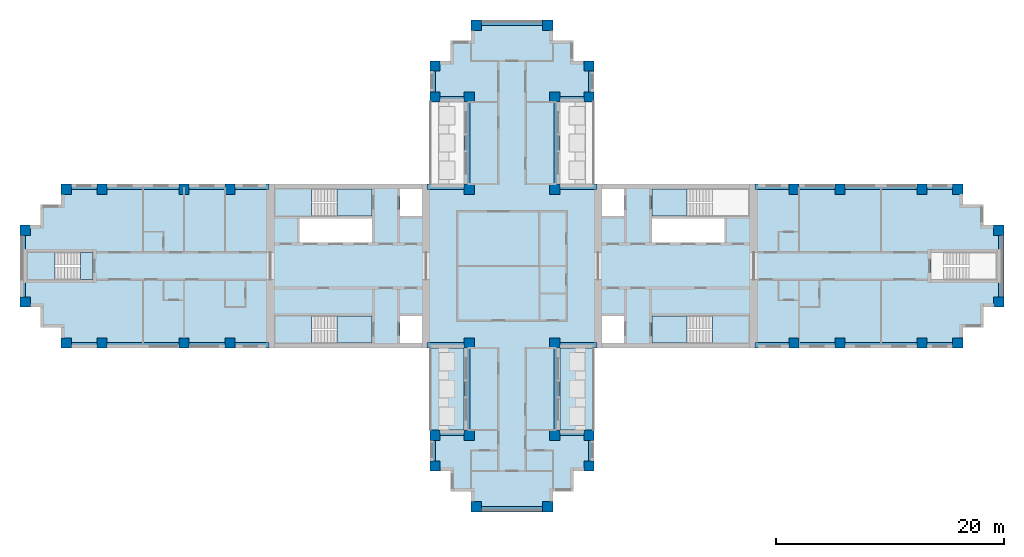
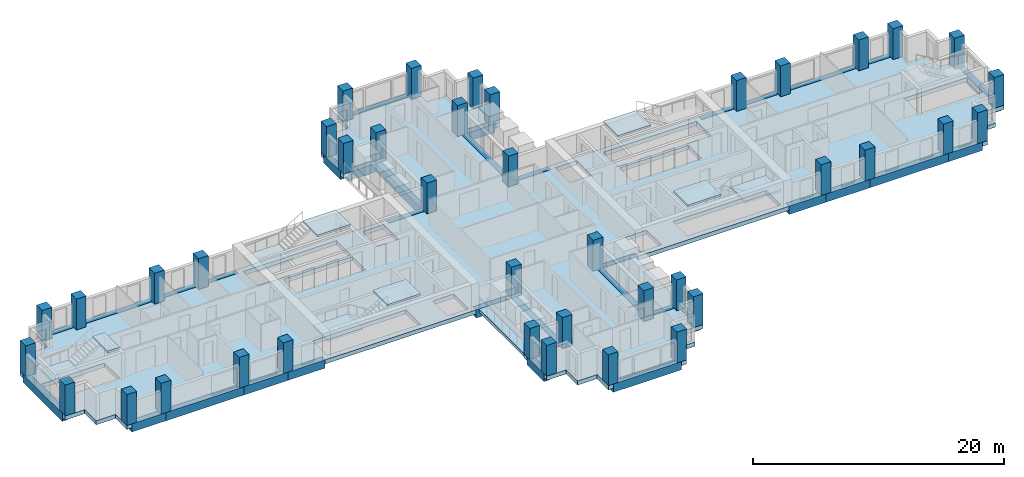
# One storey, part 1 of 12: 40 columns, 36 beams, 12 slabs, 5 elements without a shape of their own.
"""IFC4 building model written with IfcOpenShell, lengths in metres."""

from ifc_helpers import new_model, si_unit, direction, frame, origin, origin_2d, place, context, subcontext, project, spatial, polyline, rectangle, outline, extrude, material, layer, layer_set, material_profile, profile_set, type_object, element, aggregate, save


model = new_model("IFC4")

# Units and contexts
model_context = context("Model", 3, precision=1e-05, world=origin(), true_north=direction((0.0, 1.0)))
body_context = subcontext(model_context, "Body", "Model", "MODEL_VIEW")
ifc_project = project(units=[si_unit("LENGTHUNIT", "METRE"), si_unit("AREAUNIT", "SQUARE_METRE"), si_unit("VOLUMEUNIT", "CUBIC_METRE"), si_unit("PLANEANGLEUNIT", "RADIAN"), si_unit("MASSUNIT", "GRAM", prefix="KILO")], contexts=[model_context])

# Site, building, storey
site_placement = place(None, origin())
site = spatial("IfcSite", under=ifc_project, at=site_placement, CompositionType="ELEMENT")
building_placement = place(site_placement, origin())
building = spatial("IfcBuilding", under=site, at=building_placement, Name="Fustian Cross Tower", CompositionType="ELEMENT")
storey_placement = place(building_placement, frame((0.0, 0.0, 135.300048828125)))
storey = spatial("IfcBuildingStorey", under=building, at=storey_placement, Name="L42", CompositionType="ELEMENT", Elevation=135.300048828125)

# Columns
ifc_material_1 = material(Name="Concrete C50/60", Category="concrete")
ifc_material_profile_1 = material_profile(ifc_material_1, rectangle(XDim=0.89990234375, YDim=0.89990234375, at=origin_2d()), Name="RC 900x900")
ifc_profile_set_1 = profile_set([ifc_material_profile_1], Name="Concrete C50/60")
column_type = type_object("IfcColumnType", Name="COLUMN RC 900x900 C50/60", PredefinedType="COLUMN", material=ifc_profile_set_1)
for number, where, z_axis, x_axis, name in (
    (1, (-42.75, -3.14990234375, 0.0), (0.0, 0.0, 1.0), (1.0, 0.0, 0.0), "COLUMN 001"),
    (2, (-42.75, 3.14990234375, 0.0), (0.0, 0.0, 1.0), (1.0, 0.0, 0.0), "COLUMN 002"),
    (3, (-39.14990234375, -6.75, 0.0), (0.0, 0.0, 1.0), (1.0, 0.0, 0.0), "COLUMN 003"),
    (4, (-39.14990234375, 6.75, 0.0), (0.0, 0.0, 1.0), (1.0, 0.0, 0.0), "COLUMN 004"),
    (5, (-36.0, -6.75, 0.0), (0.0, 0.0, 1.0), (1.0, 0.0, 0.0), "COLUMN 005"),
    (6, (-36.0, 6.75, 0.0), (0.0, 0.0, 1.0), (1.0, 0.0, 0.0), "COLUMN 006"),
    (7, (-28.800048828125, -6.75, 0.0), (0.0, 0.0, 1.0), (1.0, 0.0, 0.0), "COLUMN 007"),
    (8, (-28.800048828125, 6.75, 0.0), (0.0, 0.0, 1.0), (1.0, 0.0, 0.0), "COLUMN 010"),
    (9, (-24.75, -6.75, 0.0), (0.0, 0.0, 1.0), (1.0, 0.0, 0.0), "COLUMN 011"),
    (10, (-24.75, 6.75, 0.0), (0.0, 0.0, 1.0), (1.0, 0.0, 0.0), "COLUMN 012"),
    (11, (-6.75, -17.550048828125, 0.0), (0.0, 0.0, 1.0), (1.0, 0.0, 0.0), "COLUMN 017"),
    (12, (-6.75, -14.85009765625, 0.0), (0.0, 0.0, 1.0), (1.0, 0.0, 0.0), "COLUMN 018"),
    (13, (-6.75, 14.85009765625, 0.0), (0.0, 0.0, 1.0), (1.0, 0.0, 0.0), "COLUMN 019"),
    (14, (-6.75, 17.550048828125, 0.0), (0.0, 0.0, 1.0), (1.0, 0.0, 0.0), "COLUMN 020"),
    (15, (-3.75, -14.85009765625, 0.0), (0.0, 0.0, 1.0), (1.0, 0.0, 0.0), "COLUMN 025"),
    (16, (-3.75, -6.75, 0.0), (0.0, 0.0, 1.0), (1.0, 0.0, 0.0), "COLUMN 026"),
    (17, (-3.75, 6.75, 0.0), (0.0, 0.0, 1.0), (1.0, 0.0, 0.0), "COLUMN 027"),
    (18, (-3.75, 14.85009765625, 0.0), (0.0, 0.0, 1.0), (1.0, 0.0, 0.0), "COLUMN 028"),
    (19, (-3.14990234375, -21.14990234375, 0.0), (0.0, 0.0, 1.0), (1.0, 0.0, 0.0), "COLUMN 030"),
    (20, (-3.14990234375, 21.14990234375, 0.0), (0.0, 0.0, 1.0), (1.0, 0.0, 0.0), "COLUMN 031"),
    (21, (3.14990234375, -21.14990234375, 0.0), (0.0, 0.0, 1.0), (1.0, 0.0, 0.0), "COLUMN 034"),
    (22, (3.14990234375, 21.14990234375, 0.0), (0.0, 0.0, 1.0), (1.0, 0.0, 0.0), "COLUMN 035"),
    (23, (3.75, -14.85009765625, 0.0), (0.0, 0.0, 1.0), (1.0, 0.0, 0.0), "COLUMN 037"),
    (24, (3.75, -6.75, 0.0), (0.0, 0.0, 1.0), (1.0, 0.0, 0.0), "COLUMN 038"),
    (25, (3.75, 6.75, 0.0), (0.0, 0.0, 1.0), (1.0, 0.0, 0.0), "COLUMN 039"),
    (26, (3.75, 14.85009765625, 0.0), (0.0, 0.0, 1.0), (1.0, 0.0, 0.0), "COLUMN 040"),
    (27, (6.75, -17.550048828125, 0.0), (0.0, 0.0, 1.0), (1.0, 0.0, 0.0), "COLUMN 045"),
    (28, (6.75, -14.85009765625, 0.0), (0.0, 0.0, 1.0), (1.0, 0.0, 0.0), "COLUMN 046"),
    (29, (6.75, 14.85009765625, 0.0), (0.0, 0.0, 1.0), (1.0, 0.0, 0.0), "COLUMN 047"),
    (30, (6.75, 17.550048828125, 0.0), (0.0, 0.0, 1.0), (1.0, 0.0, 0.0), "COLUMN 048"),
    (31, (24.75, -6.75, 0.0), (0.0, 0.0, 1.0), (1.0, 0.0, 0.0), "COLUMN 053"),
    (32, (24.75, 6.75, 0.0), (0.0, 0.0, 1.0), (1.0, 0.0, 0.0), "COLUMN 054"),
    (33, (28.800048828125, -6.75, 0.0), (0.0, 0.0, 1.0), (1.0, 0.0, 0.0), "COLUMN 055"),
    (34, (28.800048828125, 6.75, 0.0), (0.0, 0.0, 1.0), (1.0, 0.0, 0.0), "COLUMN 058"),
    (35, (36.0, -6.75, 0.0), (0.0, 0.0, 1.0), (1.0, 0.0, 0.0), "COLUMN 059"),
    (36, (36.0, 6.75, 0.0), (0.0, 0.0, 1.0), (1.0, 0.0, 0.0), "COLUMN 060"),
    (37, (39.14990234375, -6.75, 0.0), (0.0, 0.0, 1.0), (1.0, 0.0, 0.0), "COLUMN 061"),
    (38, (39.14990234375, 6.75, 0.0), (0.0, 0.0, 1.0), (1.0, 0.0, 0.0), "COLUMN 062"),
    (39, (42.75, -3.14990234375, 0.0), (0.0, 0.0, 1.0), (1.0, 0.0, 0.0), "COLUMN 063"),
    (40, (42.75, 3.14990234375, 0.0), (0.0, 0.0, 1.0), (1.0, 0.0, 0.0), "COLUMN 064"),
):
    element("IfcColumn", number, at=place(storey_placement, frame(where, z_axis=z_axis, x_axis=x_axis)), inside=storey, type_object=column_type, Name=name, PredefinedType="COLUMN", context=body_context, shape_type="SweptSolid", body=[
        extrude(rectangle(XDim=0.89990234375, YDim=0.89990234375, at=origin_2d()), origin(), (0.0, 0.0, 1.0), 3.0),
    ])

# Beams
ifc_material_2 = material(Name="Concrete C50/60", Category="concrete")
ifc_material_profile_2 = material_profile(ifc_material_2, rectangle(XDim=0.5, YDim=0.800048828125, at=origin_2d()), Name="RC 500x800")
ifc_profile_set_2 = profile_set([ifc_material_profile_2], Name="Concrete C50/60")
beam_type = type_object("IfcBeamType", Name="EDGE BEAM RC 500x800 C50/60", PredefinedType="SPANDREL", material=ifc_profile_set_2)
beam_1_placement = place(storey_placement, frame((21.35009765625, -6.949951171875, -0.400146484375), z_axis=(1.0, 0.0, 0.0), x_axis=(0.0, 1.0, 0.0)))
element("IfcBeam", 41, at=beam_1_placement, inside=storey, type_object=beam_type, Name="EDGE BEAM L42-01", PredefinedType="SPANDREL", context=body_context, shape_type="SweptSolid", body=[
    extrude(rectangle(XDim=0.5, YDim=0.800048828125, at=origin_2d()), origin(), (0.0, 0.0, 1.0), 3.39990234375),
])
beam_2_placement = place(storey_placement, frame((24.75, -6.949951171875, -0.400146484375), z_axis=(1.0, 0.0, 0.0), x_axis=(0.0, 1.0, 0.0)))
element("IfcBeam", 42, at=beam_2_placement, inside=storey, type_object=beam_type, Name="EDGE BEAM L42-02", PredefinedType="SPANDREL", context=body_context, shape_type="SweptSolid", body=[
    extrude(rectangle(XDim=0.5, YDim=0.800048828125, at=origin_2d()), origin(), (0.0, 0.0, 1.0), 4.050048828125),
])
beam_3_placement = place(storey_placement, frame((28.800048828125, -6.949951171875, -0.400146484375), z_axis=(1.0, 0.0, 0.0), x_axis=(0.0, 1.0, 0.0)))
element("IfcBeam", 43, at=beam_3_placement, inside=storey, type_object=beam_type, Name="EDGE BEAM L42-03", PredefinedType="SPANDREL", context=body_context, shape_type="SweptSolid", body=[
    extrude(rectangle(XDim=0.5, YDim=0.800048828125, at=origin_2d()), origin(), (0.0, 0.0, 1.0), 7.199951171875),
])
beam_4_placement = place(storey_placement, frame((36.0, -6.949951171875, -0.400146484375), z_axis=(1.0, 0.0, 0.0), x_axis=(0.0, 1.0, 0.0)))
element("IfcBeam", 44, at=beam_4_placement, inside=storey, type_object=beam_type, Name="EDGE BEAM L42-04", PredefinedType="SPANDREL", context=body_context, shape_type="SweptSolid", body=[
    extrude(rectangle(XDim=0.5, YDim=0.800048828125, at=origin_2d()), origin(), (0.0, 0.0, 1.0), 3.14990234375),
])
beam_5_placement = place(storey_placement, frame((42.949951171875, -3.14990234375, -0.400146484375), z_axis=(0.0, 1.0, 0.0), x_axis=(-1.0, 0.0, 0.0)))
element("IfcBeam", 45, at=beam_5_placement, inside=storey, type_object=beam_type, Name="EDGE BEAM L42-05", PredefinedType="SPANDREL", context=body_context, shape_type="SweptSolid", body=[
    extrude(rectangle(XDim=0.5, YDim=0.800048828125, at=origin_2d()), origin(), (0.0, 0.0, 1.0), 6.2998046875),
])
beam_6_placement = place(storey_placement, frame((39.14990234375, 6.949951171875, -0.400146484375), z_axis=(-1.0, 0.0, 0.0), x_axis=(0.0, -1.0, 0.0)))
element("IfcBeam", 46, at=beam_6_placement, inside=storey, type_object=beam_type, Name="EDGE BEAM L42-06", PredefinedType="SPANDREL", context=body_context, shape_type="SweptSolid", body=[
    extrude(rectangle(XDim=0.5, YDim=0.800048828125, at=origin_2d()), origin(), (0.0, 0.0, 1.0), 3.14990234375),
])
beam_7_placement = place(storey_placement, frame((36.0, 6.949951171875, -0.400146484375), z_axis=(-1.0, 0.0, 0.0), x_axis=(0.0, -1.0, 0.0)))
element("IfcBeam", 47, at=beam_7_placement, inside=storey, type_object=beam_type, Name="EDGE BEAM L42-07", PredefinedType="SPANDREL", context=body_context, shape_type="SweptSolid", body=[
    extrude(rectangle(XDim=0.5, YDim=0.800048828125, at=origin_2d()), origin(), (0.0, 0.0, 1.0), 7.199951171875),
])
beam_8_placement = place(storey_placement, frame((28.800048828125, 6.949951171875, -0.400146484375), z_axis=(-1.0, 0.0, 0.0), x_axis=(0.0, -1.0, 0.0)))
element("IfcBeam", 48, at=beam_8_placement, inside=storey, type_object=beam_type, Name="EDGE BEAM L42-08", PredefinedType="SPANDREL", context=body_context, shape_type="SweptSolid", body=[
    extrude(rectangle(XDim=0.5, YDim=0.800048828125, at=origin_2d()), origin(), (0.0, 0.0, 1.0), 4.050048828125),
])
beam_9_placement = place(storey_placement, frame((24.75, 6.949951171875, -0.400146484375), z_axis=(-1.0, 0.0, 0.0), x_axis=(0.0, -1.0, 0.0)))
element("IfcBeam", 49, at=beam_9_placement, inside=storey, type_object=beam_type, Name="EDGE BEAM L42-09", PredefinedType="SPANDREL", context=body_context, shape_type="SweptSolid", body=[
    extrude(rectangle(XDim=0.5, YDim=0.800048828125, at=origin_2d()), origin(), (0.0, 0.0, 1.0), 3.39990234375),
])
beam_10_placement = place(storey_placement, frame((7.449951171875, 6.949951171875, -0.400146484375), z_axis=(-1.0, 0.0, 0.0), x_axis=(0.0, -1.0, 0.0)))
element("IfcBeam", 50, at=beam_10_placement, inside=storey, type_object=beam_type, Name="EDGE BEAM L42-10", PredefinedType="SPANDREL", context=body_context, shape_type="SweptSolid", body=[
    extrude(rectangle(XDim=0.5, YDim=0.800048828125, at=origin_2d()), origin(), (0.0, 0.0, 1.0), 3.699951171875),
])
beam_11_placement = place(storey_placement, frame((3.949951171875, 6.75, -0.400146484375), z_axis=(0.0, 1.0, 0.0), x_axis=(-1.0, 0.0, 0.0)))
element("IfcBeam", 51, at=beam_11_placement, inside=storey, type_object=beam_type, Name="EDGE BEAM L42-11", PredefinedType="SPANDREL", context=body_context, shape_type="SweptSolid", body=[
    extrude(rectangle(XDim=0.5, YDim=0.800048828125, at=origin_2d()), origin(), (0.0, 0.0, 1.0), 8.10009765625),
])
beam_12_placement = place(storey_placement, frame((3.75, 14.64990234375, -0.400146484375), z_axis=(1.0, 0.0, 0.0), x_axis=(0.0, 1.0, 0.0)))
element("IfcBeam", 52, at=beam_12_placement, inside=storey, type_object=beam_type, Name="EDGE BEAM L42-12", PredefinedType="SPANDREL", context=body_context, shape_type="SweptSolid", body=[
    extrude(rectangle(XDim=0.5, YDim=0.800048828125, at=origin_2d()), origin(), (0.0, 0.0, 1.0), 3.0),
])
beam_13_placement = place(storey_placement, frame((6.949951171875, 14.85009765625, -0.400146484375), z_axis=(0.0, 1.0, 0.0), x_axis=(-1.0, 0.0, 0.0)))
element("IfcBeam", 53, at=beam_13_placement, inside=storey, type_object=beam_type, Name="EDGE BEAM L42-13", PredefinedType="SPANDREL", context=body_context, shape_type="SweptSolid", body=[
    extrude(rectangle(XDim=0.5, YDim=0.800048828125, at=origin_2d()), origin(), (0.0, 0.0, 1.0), 2.699951171875),
])
beam_14_placement = place(storey_placement, frame((3.14990234375, 21.35009765625, -0.400146484375), z_axis=(-1.0, 0.0, 0.0), x_axis=(0.0, -1.0, 0.0)))
element("IfcBeam", 54, at=beam_14_placement, inside=storey, type_object=beam_type, Name="EDGE BEAM L42-14", PredefinedType="SPANDREL", context=body_context, shape_type="SweptSolid", body=[
    extrude(rectangle(XDim=0.5, YDim=0.800048828125, at=origin_2d()), origin(), (0.0, 0.0, 1.0), 6.2998046875),
])
beam_15_placement = place(storey_placement, frame((-6.949951171875, 17.550048828125, -0.400146484375), z_axis=(0.0, -1.0, 0.0), x_axis=(1.0, 0.0, 0.0)))
element("IfcBeam", 55, at=beam_15_placement, inside=storey, type_object=beam_type, Name="EDGE BEAM L42-15", PredefinedType="SPANDREL", context=body_context, shape_type="SweptSolid", body=[
    extrude(rectangle(XDim=0.5, YDim=0.800048828125, at=origin_2d()), origin(), (0.0, 0.0, 1.0), 2.699951171875),
])
beam_16_placement = place(storey_placement, frame((-6.75, 14.64990234375, -0.400146484375), z_axis=(1.0, 0.0, 0.0), x_axis=(0.0, 1.0, 0.0)))
element("IfcBeam", 56, at=beam_16_placement, inside=storey, type_object=beam_type, Name="EDGE BEAM L42-16", PredefinedType="SPANDREL", context=body_context, shape_type="SweptSolid", body=[
    extrude(rectangle(XDim=0.5, YDim=0.800048828125, at=origin_2d()), origin(), (0.0, 0.0, 1.0), 3.0),
])
beam_17_placement = place(storey_placement, frame((-3.949951171875, 14.85009765625, -0.400146484375), z_axis=(0.0, -1.0, 0.0), x_axis=(1.0, 0.0, 0.0)))
element("IfcBeam", 57, at=beam_17_placement, inside=storey, type_object=beam_type, Name="EDGE BEAM L42-17", PredefinedType="SPANDREL", context=body_context, shape_type="SweptSolid", body=[
    extrude(rectangle(XDim=0.5, YDim=0.800048828125, at=origin_2d()), origin(), (0.0, 0.0, 1.0), 8.10009765625),
])
beam_18_placement = place(storey_placement, frame((-3.75, 6.949951171875, -0.400146484375), z_axis=(-1.0, 0.0, 0.0), x_axis=(0.0, -1.0, 0.0)))
element("IfcBeam", 58, at=beam_18_placement, inside=storey, type_object=beam_type, Name="EDGE BEAM L42-18", PredefinedType="SPANDREL", context=body_context, shape_type="SweptSolid", body=[
    extrude(rectangle(XDim=0.5, YDim=0.800048828125, at=origin_2d()), origin(), (0.0, 0.0, 1.0), 3.699951171875),
])
beam_19_placement = place(storey_placement, frame((-21.35009765625, 6.949951171875, -0.400146484375), z_axis=(-1.0, 0.0, 0.0), x_axis=(0.0, -1.0, 0.0)))
element("IfcBeam", 59, at=beam_19_placement, inside=storey, type_object=beam_type, Name="EDGE BEAM L42-19", PredefinedType="SPANDREL", context=body_context, shape_type="SweptSolid", body=[
    extrude(rectangle(XDim=0.5, YDim=0.800048828125, at=origin_2d()), origin(), (0.0, 0.0, 1.0), 3.39990234375),
])
beam_20_placement = place(storey_placement, frame((-24.75, 6.949951171875, -0.400146484375), z_axis=(-1.0, 0.0, 0.0), x_axis=(0.0, -1.0, 0.0)))
element("IfcBeam", 60, at=beam_20_placement, inside=storey, type_object=beam_type, Name="EDGE BEAM L42-20", PredefinedType="SPANDREL", context=body_context, shape_type="SweptSolid", body=[
    extrude(rectangle(XDim=0.5, YDim=0.800048828125, at=origin_2d()), origin(), (0.0, 0.0, 1.0), 4.050048828125),
])
beam_21_placement = place(storey_placement, frame((-28.800048828125, 6.949951171875, -0.400146484375), z_axis=(-1.0, 0.0, 0.0), x_axis=(0.0, -1.0, 0.0)))
element("IfcBeam", 61, at=beam_21_placement, inside=storey, type_object=beam_type, Name="EDGE BEAM L42-21", PredefinedType="SPANDREL", context=body_context, shape_type="SweptSolid", body=[
    extrude(rectangle(XDim=0.5, YDim=0.800048828125, at=origin_2d()), origin(), (0.0, 0.0, 1.0), 7.199951171875),
])
beam_22_placement = place(storey_placement, frame((-36.0, 6.949951171875, -0.400146484375), z_axis=(-1.0, 0.0, 0.0), x_axis=(0.0, -1.0, 0.0)))
element("IfcBeam", 62, at=beam_22_placement, inside=storey, type_object=beam_type, Name="EDGE BEAM L42-22", PredefinedType="SPANDREL", context=body_context, shape_type="SweptSolid", body=[
    extrude(rectangle(XDim=0.5, YDim=0.800048828125, at=origin_2d()), origin(), (0.0, 0.0, 1.0), 3.14990234375),
])
beam_23_placement = place(storey_placement, frame((-42.949951171875, 3.14990234375, -0.400146484375), z_axis=(0.0, -1.0, 0.0), x_axis=(1.0, 0.0, 0.0)))
element("IfcBeam", 63, at=beam_23_placement, inside=storey, type_object=beam_type, Name="EDGE BEAM L42-23", PredefinedType="SPANDREL", context=body_context, shape_type="SweptSolid", body=[
    extrude(rectangle(XDim=0.5, YDim=0.800048828125, at=origin_2d()), origin(), (0.0, 0.0, 1.0), 6.2998046875),
])
beam_24_placement = place(storey_placement, frame((-39.14990234375, -6.949951171875, -0.400146484375), z_axis=(1.0, 0.0, 0.0), x_axis=(0.0, 1.0, 0.0)))
element("IfcBeam", 64, at=beam_24_placement, inside=storey, type_object=beam_type, Name="EDGE BEAM L42-24", PredefinedType="SPANDREL", context=body_context, shape_type="SweptSolid", body=[
    extrude(rectangle(XDim=0.5, YDim=0.800048828125, at=origin_2d()), origin(), (0.0, 0.0, 1.0), 3.14990234375),
])
beam_25_placement = place(storey_placement, frame((-36.0, -6.949951171875, -0.400146484375), z_axis=(1.0, 0.0, 0.0), x_axis=(0.0, 1.0, 0.0)))
element("IfcBeam", 65, at=beam_25_placement, inside=storey, type_object=beam_type, Name="EDGE BEAM L42-25", PredefinedType="SPANDREL", context=body_context, shape_type="SweptSolid", body=[
    extrude(rectangle(XDim=0.5, YDim=0.800048828125, at=origin_2d()), origin(), (0.0, 0.0, 1.0), 7.199951171875),
])
beam_26_placement = place(storey_placement, frame((-28.800048828125, -6.949951171875, -0.400146484375), z_axis=(1.0, 0.0, 0.0), x_axis=(0.0, 1.0, 0.0)))
element("IfcBeam", 66, at=beam_26_placement, inside=storey, type_object=beam_type, Name="EDGE BEAM L42-26", PredefinedType="SPANDREL", context=body_context, shape_type="SweptSolid", body=[
    extrude(rectangle(XDim=0.5, YDim=0.800048828125, at=origin_2d()), origin(), (0.0, 0.0, 1.0), 4.050048828125),
])
beam_27_placement = place(storey_placement, frame((-24.75, -6.949951171875, -0.400146484375), z_axis=(1.0, 0.0, 0.0), x_axis=(0.0, 1.0, 0.0)))
element("IfcBeam", 67, at=beam_27_placement, inside=storey, type_object=beam_type, Name="EDGE BEAM L42-27", PredefinedType="SPANDREL", context=body_context, shape_type="SweptSolid", body=[
    extrude(rectangle(XDim=0.5, YDim=0.800048828125, at=origin_2d()), origin(), (0.0, 0.0, 1.0), 3.39990234375),
])
beam_28_placement = place(storey_placement, frame((-7.449951171875, -6.949951171875, -0.400146484375), z_axis=(1.0, 0.0, 0.0), x_axis=(0.0, 1.0, 0.0)))
element("IfcBeam", 68, at=beam_28_placement, inside=storey, type_object=beam_type, Name="EDGE BEAM L42-28", PredefinedType="SPANDREL", context=body_context, shape_type="SweptSolid", body=[
    extrude(rectangle(XDim=0.5, YDim=0.800048828125, at=origin_2d()), origin(), (0.0, 0.0, 1.0), 3.699951171875),
])
beam_29_placement = place(storey_placement, frame((-3.949951171875, -6.75, -0.400146484375), z_axis=(0.0, -1.0, 0.0), x_axis=(1.0, 0.0, 0.0)))
element("IfcBeam", 69, at=beam_29_placement, inside=storey, type_object=beam_type, Name="EDGE BEAM L42-29", PredefinedType="SPANDREL", context=body_context, shape_type="SweptSolid", body=[
    extrude(rectangle(XDim=0.5, YDim=0.800048828125, at=origin_2d()), origin(), (0.0, 0.0, 1.0), 8.10009765625),
])
beam_30_placement = place(storey_placement, frame((-3.75, -14.64990234375, -0.400146484375), z_axis=(-1.0, 0.0, 0.0), x_axis=(0.0, -1.0, 0.0)))
element("IfcBeam", 70, at=beam_30_placement, inside=storey, type_object=beam_type, Name="EDGE BEAM L42-30", PredefinedType="SPANDREL", context=body_context, shape_type="SweptSolid", body=[
    extrude(rectangle(XDim=0.5, YDim=0.800048828125, at=origin_2d()), origin(), (0.0, 0.0, 1.0), 3.0),
])
beam_31_placement = place(storey_placement, frame((-6.949951171875, -14.85009765625, -0.400146484375), z_axis=(0.0, -1.0, 0.0), x_axis=(1.0, 0.0, 0.0)))
element("IfcBeam", 71, at=beam_31_placement, inside=storey, type_object=beam_type, Name="EDGE BEAM L42-31", PredefinedType="SPANDREL", context=body_context, shape_type="SweptSolid", body=[
    extrude(rectangle(XDim=0.5, YDim=0.800048828125, at=origin_2d()), origin(), (0.0, 0.0, 1.0), 2.699951171875),
])
beam_32_placement = place(storey_placement, frame((-3.14990234375, -21.35009765625, -0.400146484375), z_axis=(1.0, 0.0, 0.0), x_axis=(0.0, 1.0, 0.0)))
element("IfcBeam", 72, at=beam_32_placement, inside=storey, type_object=beam_type, Name="EDGE BEAM L42-32", PredefinedType="SPANDREL", context=body_context, shape_type="SweptSolid", body=[
    extrude(rectangle(XDim=0.5, YDim=0.800048828125, at=origin_2d()), origin(), (0.0, 0.0, 1.0), 6.2998046875),
])
beam_33_placement = place(storey_placement, frame((6.949951171875, -17.550048828125, -0.400146484375), z_axis=(0.0, 1.0, 0.0), x_axis=(-1.0, 0.0, 0.0)))
element("IfcBeam", 73, at=beam_33_placement, inside=storey, type_object=beam_type, Name="EDGE BEAM L42-33", PredefinedType="SPANDREL", context=body_context, shape_type="SweptSolid", body=[
    extrude(rectangle(XDim=0.5, YDim=0.800048828125, at=origin_2d()), origin(), (0.0, 0.0, 1.0), 2.699951171875),
])
beam_34_placement = place(storey_placement, frame((6.75, -14.64990234375, -0.400146484375), z_axis=(-1.0, 0.0, 0.0), x_axis=(0.0, -1.0, 0.0)))
element("IfcBeam", 74, at=beam_34_placement, inside=storey, type_object=beam_type, Name="EDGE BEAM L42-34", PredefinedType="SPANDREL", context=body_context, shape_type="SweptSolid", body=[
    extrude(rectangle(XDim=0.5, YDim=0.800048828125, at=origin_2d()), origin(), (0.0, 0.0, 1.0), 3.0),
])
beam_35_placement = place(storey_placement, frame((3.949951171875, -14.85009765625, -0.400146484375), z_axis=(0.0, 1.0, 0.0), x_axis=(-1.0, 0.0, 0.0)))
element("IfcBeam", 75, at=beam_35_placement, inside=storey, type_object=beam_type, Name="EDGE BEAM L42-35", PredefinedType="SPANDREL", context=body_context, shape_type="SweptSolid", body=[
    extrude(rectangle(XDim=0.5, YDim=0.800048828125, at=origin_2d()), origin(), (0.0, 0.0, 1.0), 8.10009765625),
])
beam_36_placement = place(storey_placement, frame((3.75, -6.949951171875, -0.400146484375), z_axis=(1.0, 0.0, 0.0), x_axis=(0.0, 1.0, 0.0)))
element("IfcBeam", 76, at=beam_36_placement, inside=storey, type_object=beam_type, Name="EDGE BEAM L42-36", PredefinedType="SPANDREL", context=body_context, shape_type="SweptSolid", body=[
    extrude(rectangle(XDim=0.5, YDim=0.800048828125, at=origin_2d()), origin(), (0.0, 0.0, 1.0), 3.699951171875),
])

# Slabs
ifc_material_3 = material(Name="Concrete C40/50", Category="concrete")
ifc_layer_1 = layer(ifc_material_3, 0.300048828125)
ifc_layer_set_1 = layer_set([ifc_layer_1], Name="Concrete C40/50")
slab_type_1 = type_object("IfcSlabType", Name="BS1 BALCONY SLAB 300", PredefinedType="FLOOR", material=ifc_layer_set_1)
slab_1_placement = place(storey_placement, frame((0.0, 0.0, -0.300048828125)))
element("IfcSlab", 77, at=slab_1_placement, inside=storey, type_object=slab_type_1, Name="Balcony slab", PredefinedType="FLOOR", context=body_context, shape_type="SweptSolid", body=[
    extrude(outline(polyline([(4.199951171875, -14.39990234375), (7.199951171875, -14.39990234375), (7.199951171875, -7.199951171875), (4.199951171875, -7.199951171875), (4.199951171875, -14.39990234375)])), origin(), (0.0, 0.0, 1.0), 0.300048828125),
])
slab_2_placement = place(storey_placement, frame((0.0, 0.0, -0.300048828125)))
element("IfcSlab", 78, at=slab_2_placement, inside=storey, type_object=slab_type_1, Name="Balcony slab", PredefinedType="FLOOR", context=body_context, shape_type="SweptSolid", body=[
    extrude(outline(polyline([(-7.199951171875, -14.39990234375), (-4.199951171875, -14.39990234375), (-4.199951171875, -7.199951171875), (-7.199951171875, -7.199951171875), (-7.199951171875, -14.39990234375)])), origin(), (0.0, 0.0, 1.0), 0.300048828125),
])
ifc_material_4 = material(Name="Concrete C40/50", Category="concrete")
ifc_layer_2 = layer(ifc_material_4, 0.39990234375)
ifc_layer_set_2 = layer_set([ifc_layer_2], Name="Concrete C40/50")
slab_type_2 = type_object("IfcSlabType", Name="FLAT SLAB 400", PredefinedType="FLOOR", material=ifc_layer_set_2)
slab_3_placement = place(storey_placement, frame((0.0, 0.0, -0.400146484375)))
element("IfcSlab", 79, at=slab_3_placement, inside=storey, type_object=slab_type_2, Name="FLOOR SLAB L42-1", PredefinedType="FLOOR", context=body_context, shape_type="SweptSolid", body=[
    extrude(outline(polyline([(-5.39990234375, -18.0), (-7.199951171875, -18.0), (-7.199951171875, -14.39990234375), (-4.199951171875, -14.39990234375), (-4.199951171875, -7.199951171875), (-39.60009765625, -7.199951171875), (-39.60009765625, -5.39990234375), (-41.39990234375, -5.39990234375), (-41.39990234375, -3.60009765625), (-43.199951171875, -3.60009765625), (-43.199951171875, 3.60009765625), (-41.39990234375, 3.60009765625), (-41.39990234375, 5.39990234375), (-39.60009765625, 5.39990234375), (-39.60009765625, 7.199951171875), (-4.199951171875, 7.199951171875), (-4.199951171875, 14.39990234375), (-7.199951171875, 14.39990234375), (-7.199951171875, 18.0), (-5.39990234375, 18.0), (-5.39990234375, 19.800048828125), (-3.60009765625, 19.800048828125), (-3.60009765625, 21.60009765625), (3.60009765625, 21.60009765625), (3.60009765625, 19.800048828125), (5.39990234375, 19.800048828125), (5.39990234375, 18.0), (7.199951171875, 18.0), (7.199951171875, 14.39990234375), (4.199951171875, 14.39990234375), (4.199951171875, 7.199951171875), (39.60009765625, 7.199951171875), (39.60009765625, 5.39990234375), (41.39990234375, 5.39990234375), (41.39990234375, 3.60009765625), (43.199951171875, 3.60009765625), (43.199951171875, -3.60009765625), (41.39990234375, -3.60009765625), (41.39990234375, -5.39990234375), (39.60009765625, -5.39990234375), (39.60009765625, -7.199951171875), (4.199951171875, -7.199951171875), (4.199951171875, -14.39990234375), (7.199951171875, -14.39990234375), (7.199951171875, -18.0), (5.39990234375, -18.0), (5.39990234375, -19.800048828125), (3.60009765625, -19.800048828125), (3.60009765625, -21.60009765625), (-3.60009765625, -21.60009765625), (-3.60009765625, -19.800048828125), (-5.39990234375, -19.800048828125), (-5.39990234375, -18.0)]), holes=[polyline([(9.85009765625, 4.39990234375), (9.85009765625, 6.75), (7.89990234375, 6.75), (7.89990234375, 4.39990234375), (9.85009765625, 4.39990234375)]), polyline([(7.89990234375, -6.75), (9.85009765625, -6.75), (9.85009765625, -4.39990234375), (7.89990234375, -4.39990234375), (7.89990234375, -6.75)]), polyline([(-9.85009765625, 6.75), (-9.85009765625, 4.39990234375), (-7.89990234375, 4.39990234375), (-7.89990234375, 6.75), (-9.85009765625, 6.75)]), polyline([(-7.89990234375, -4.39990234375), (-9.85009765625, -4.39990234375), (-9.85009765625, -6.75), (-7.89990234375, -6.75), (-7.89990234375, -4.39990234375)]), polyline([(18.64990234375, 2.050048828125), (18.64990234375, 4.14990234375), (12.300048828125, 4.14990234375), (12.300048828125, 2.050048828125), (18.64990234375, 2.050048828125)]), polyline([(-18.64990234375, 2.050048828125), (-12.300048828125, 2.050048828125), (-12.300048828125, 4.14990234375), (-18.64990234375, 4.14990234375), (-18.64990234375, 2.050048828125)]), polyline([(12.300048828125, 6.699951171875), (12.300048828125, 4.39990234375), (20.85009765625, 4.39990234375), (20.85009765625, 6.699951171875), (12.300048828125, 6.699951171875)]), polyline([(20.85009765625, -4.39990234375), (12.300048828125, -4.39990234375), (12.300048828125, -6.699951171875), (20.85009765625, -6.699951171875), (20.85009765625, -4.39990234375)]), polyline([(-12.300048828125, 4.39990234375), (-12.300048828125, 6.699951171875), (-20.85009765625, 6.699951171875), (-20.85009765625, 4.39990234375), (-12.300048828125, 4.39990234375)]), polyline([(-20.85009765625, -6.699951171875), (-12.300048828125, -6.699951171875), (-12.300048828125, -4.39990234375), (-20.85009765625, -4.39990234375), (-20.85009765625, -6.699951171875)]), polyline([(36.800048828125, 1.199951171875), (36.800048828125, -1.199951171875), (42.60009765625, -1.199951171875), (42.60009765625, 1.199951171875), (36.800048828125, 1.199951171875)]), polyline([(-36.800048828125, 1.199951171875), (-42.60009765625, 1.199951171875), (-42.60009765625, -1.199951171875), (-36.800048828125, -1.199951171875), (-36.800048828125, 1.199951171875)])]), origin(), (0.0, 0.0, 1.0), 0.400146484375),
])

# Stair, slab
ifc_material_5 = material(Name="Concrete C50/60", Category="concrete")
stair_type_1 = type_object("IfcStairType", Name="STAIR 1150 HALF TURN", PredefinedType="HALF_TURN_STAIR", material=ifc_material_5)
stair_1_placement = place(storey_placement, origin())
stair_1 = element("IfcStair", 80, at=stair_1_placement, inside=storey, type_object=stair_type_1, Name="Stair ST1", PredefinedType="HALF_TURN_STAIR")
ifc_material_6 = material(Name="Concrete C50/60", Category="concrete")
ifc_layer_3 = layer(ifc_material_6, 0.199951171875)
ifc_layer_set_3 = layer_set([ifc_layer_3], Name="Concrete C50/60")
slab_type_3 = type_object("IfcSlabType", Name="STAIR LANDING", PredefinedType="LANDING", material=ifc_layer_set_3)
slab_4_placement = place(storey_placement, frame((0.0, 0.0, 2.800048828125)))
slab_4 = element("IfcSlab", 81, at=slab_4_placement, type_object=slab_type_3, Name="ST1 landing 2", PredefinedType="LANDING", context=body_context, shape_type="SweptSolid", body=[
    extrude(outline(polyline([(12.300048828125, 4.39990234375), (15.35009765625, 4.39990234375), (15.35009765625, 6.75), (12.300048828125, 6.75), (12.300048828125, 4.39990234375)])), origin(), (0.0, 0.0, 1.0), 0.199951171875),
])
aggregate(stair_1, [slab_4])

# Stair, slabs
stair_2_placement = place(storey_placement, origin())
stair_2 = element("IfcStair", 82, at=stair_2_placement, inside=storey, type_object=stair_type_1, Name="Stair ST2", PredefinedType="HALF_TURN_STAIR")
slab_5_placement = place(storey_placement, frame((0.0, 0.0, 1.300048828125)))
slab_5 = element("IfcSlab", 83, at=slab_5_placement, type_object=slab_type_3, Name="ST2 landing 1", PredefinedType="LANDING", context=body_context, shape_type="SweptSolid", body=[
    extrude(outline(polyline([(17.590087890625, -4.39990234375), (20.85009765625, -4.39990234375), (20.85009765625, -6.75), (17.590087890625, -6.75), (17.590087890625, -4.39990234375)])), origin(), (0.0, 0.0, 1.0), 0.199951171875),
])
slab_6_placement = place(storey_placement, frame((0.0, 0.0, 2.800048828125)))
slab_6 = element("IfcSlab", 84, at=slab_6_placement, type_object=slab_type_3, Name="ST2 landing 2", PredefinedType="LANDING", context=body_context, shape_type="SweptSolid", body=[
    extrude(outline(polyline([(12.300048828125, -4.39990234375), (15.35009765625, -4.39990234375), (15.35009765625, -6.75), (12.300048828125, -6.75), (12.300048828125, -4.39990234375)])), origin(), (0.0, 0.0, 1.0), 0.199951171875),
])
aggregate(stair_2, [slab_5, slab_6])

stair_3_placement = place(storey_placement, origin())
stair_3 = element("IfcStair", 85, at=stair_3_placement, inside=storey, type_object=stair_type_1, Name="Stair ST3", PredefinedType="HALF_TURN_STAIR")
slab_7_placement = place(storey_placement, frame((0.0, 0.0, 1.300048828125)))
slab_7 = element("IfcSlab", 86, at=slab_7_placement, type_object=slab_type_3, Name="ST3 landing 1", PredefinedType="LANDING", context=body_context, shape_type="SweptSolid", body=[
    extrude(outline(polyline([(-17.590087890625, 4.39990234375), (-20.85009765625, 4.39990234375), (-20.85009765625, 6.75), (-17.590087890625, 6.75), (-17.590087890625, 4.39990234375)])), origin(), (0.0, 0.0, 1.0), 0.199951171875),
])
slab_8_placement = place(storey_placement, frame((0.0, 0.0, 2.800048828125)))
slab_8 = element("IfcSlab", 87, at=slab_8_placement, type_object=slab_type_3, Name="ST3 landing 2", PredefinedType="LANDING", context=body_context, shape_type="SweptSolid", body=[
    extrude(outline(polyline([(-12.300048828125, 4.39990234375), (-15.35009765625, 4.39990234375), (-15.35009765625, 6.75), (-12.300048828125, 6.75), (-12.300048828125, 4.39990234375)])), origin(), (0.0, 0.0, 1.0), 0.199951171875),
])
aggregate(stair_3, [slab_7, slab_8])

stair_4_placement = place(storey_placement, origin())
stair_4 = element("IfcStair", 88, at=stair_4_placement, inside=storey, type_object=stair_type_1, Name="Stair ST4", PredefinedType="HALF_TURN_STAIR")
slab_9_placement = place(storey_placement, frame((0.0, 0.0, 1.300048828125)))
slab_9 = element("IfcSlab", 89, at=slab_9_placement, type_object=slab_type_3, Name="ST4 landing 1", PredefinedType="LANDING", context=body_context, shape_type="SweptSolid", body=[
    extrude(outline(polyline([(-17.590087890625, -4.39990234375), (-20.85009765625, -4.39990234375), (-20.85009765625, -6.75), (-17.590087890625, -6.75), (-17.590087890625, -4.39990234375)])), origin(), (0.0, 0.0, 1.0), 0.199951171875),
])
slab_10_placement = place(storey_placement, frame((0.0, 0.0, 2.800048828125)))
slab_10 = element("IfcSlab", 90, at=slab_10_placement, type_object=slab_type_3, Name="ST4 landing 2", PredefinedType="LANDING", context=body_context, shape_type="SweptSolid", body=[
    extrude(outline(polyline([(-12.300048828125, -4.39990234375), (-15.35009765625, -4.39990234375), (-15.35009765625, -6.75), (-12.300048828125, -6.75), (-12.300048828125, -4.39990234375)])), origin(), (0.0, 0.0, 1.0), 0.199951171875),
])
aggregate(stair_4, [slab_9, slab_10])

ifc_material_7 = material(Name="Concrete C50/60", Category="concrete")
stair_type_2 = type_object("IfcStairType", Name="STAIR 1100 HALF TURN", PredefinedType="HALF_TURN_STAIR", material=ifc_material_7)
stair_5_placement = place(storey_placement, origin())
stair_5 = element("IfcStair", 91, at=stair_5_placement, inside=storey, type_object=stair_type_2, Name="Stair ST9", PredefinedType="HALF_TURN_STAIR")
slab_11_placement = place(storey_placement, frame((0.0, 0.0, 1.300048828125)))
slab_11 = element("IfcSlab", 92, at=slab_11_placement, type_object=slab_type_3, Name="ST9 landing 1", PredefinedType="LANDING", context=body_context, shape_type="SweptSolid", body=[
    extrude(outline(polyline([(-40.139892578125, -1.199951171875), (-42.60009765625, -1.199951171875), (-42.60009765625, 1.199951171875), (-40.139892578125, 1.199951171875), (-40.139892578125, -1.199951171875)])), origin(), (0.0, 0.0, 1.0), 0.199951171875),
])
slab_12_placement = place(storey_placement, frame((0.0, 0.0, 2.800048828125)))
slab_12 = element("IfcSlab", 93, at=slab_12_placement, type_object=slab_type_3, Name="ST9 landing 2", PredefinedType="LANDING", context=body_context, shape_type="SweptSolid", body=[
    extrude(outline(polyline([(-36.800048828125, -1.199951171875), (-37.89990234375, -1.199951171875), (-37.89990234375, 1.199951171875), (-36.800048828125, 1.199951171875), (-36.800048828125, -1.199951171875)])), origin(), (0.0, 0.0, 1.0), 0.199951171875),
])
aggregate(stair_5, [slab_11, slab_12])

save(model, "model.ifc")
